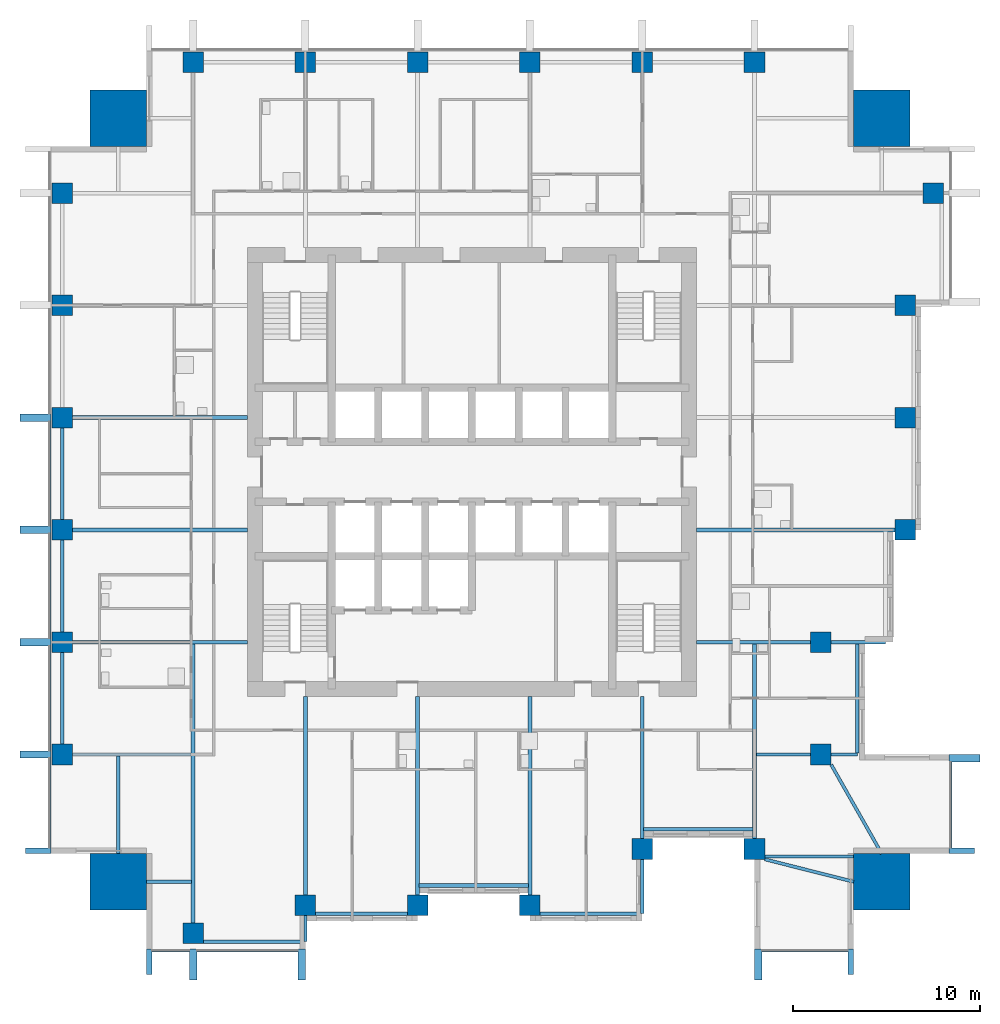
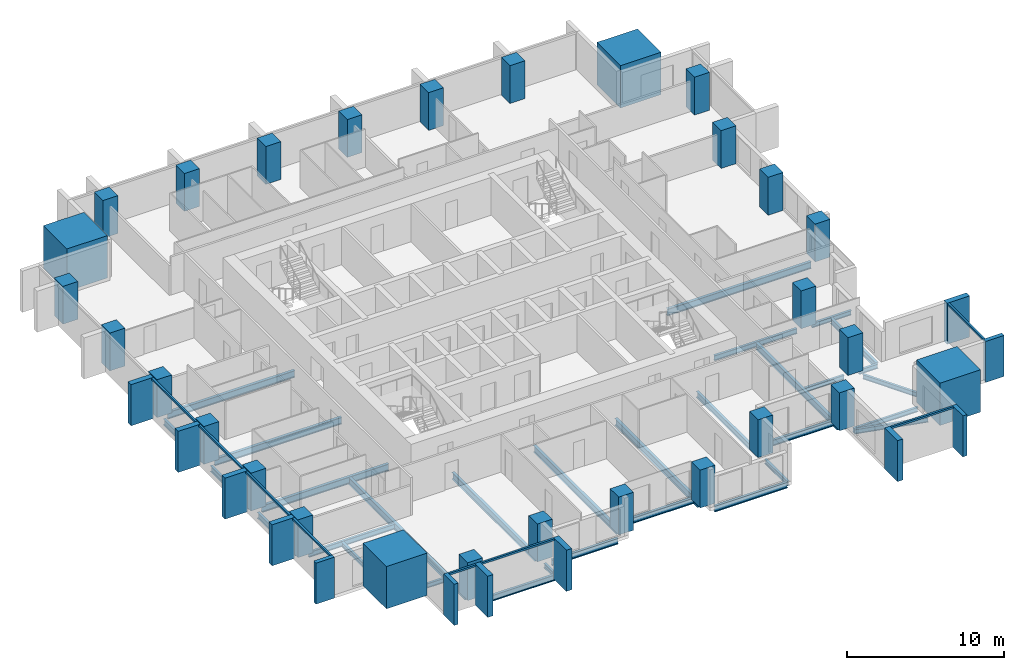
# One storey, part 1 of 10: 31 beams, 28 columns, 20 members, 4 elements without a shape of their own.
"""IFC4 building model written with IfcOpenShell, lengths in metres."""

from ifc_helpers import new_model, si_unit, direction, frame, origin, origin_2d, place, context, subcontext, project, spatial, rectangle, i_section, extrude, material, material_profile, profile_set, type_object, element, aggregate, save


model = new_model("IFC4")

# Units and contexts
model_context = context("Model", 3, precision=1e-05, world=origin(), true_north=direction((0.0, 1.0)))
body_context = subcontext(model_context, "Body", "Model", "MODEL_VIEW")
ifc_project = project(units=[si_unit("LENGTHUNIT", "METRE"), si_unit("AREAUNIT", "SQUARE_METRE"), si_unit("VOLUMEUNIT", "CUBIC_METRE"), si_unit("PLANEANGLEUNIT", "RADIAN"), si_unit("MASSUNIT", "GRAM", prefix="KILO")], contexts=[model_context])

# Site, building, storey
site_placement = place(None, origin())
site = spatial("IfcSite", under=ifc_project, at=site_placement, CompositionType="ELEMENT")
building_placement = place(site_placement, origin())
building = spatial("IfcBuilding", under=site, at=building_placement, Name="Amberfall Residences", CompositionType="ELEMENT")
storey_placement = place(building_placement, frame((0.0, 0.0, 121.60009765625)))
storey = spatial("IfcBuildingStorey", under=building, at=storey_placement, Name="L33", CompositionType="ELEMENT", Elevation=121.60009765625)

# Columns
ifc_material_1 = material(Name="Concrete C70", Category="concrete")
ifc_material_profile_1 = material_profile(ifc_material_1, rectangle(XDim=1.10009765625, YDim=1.10009765625, at=origin_2d()), Name="Column 1100 x 1100 C70")
ifc_profile_set_1 = profile_set([ifc_material_profile_1], Name="Concrete C70")
column_type_1 = type_object("IfcColumnType", Name="Column 1100 x 1100 C70", PredefinedType="COLUMN", material=ifc_profile_set_1)
for number, where, z_axis, x_axis, name in (
    (1, (59.60009765625, 20.85009765625, 0.0), (0.0, 0.0, 1.0), (1.0, 0.0, 0.0), "Column C2 L33 S1"),
    (2, (65.60009765625, 22.35009765625, 0.0), (0.0, 0.0, 1.0), (1.0, 0.0, 0.0), "Column C2 L33 S2"),
    (3, (71.60009765625, 22.35009765625, 0.0), (0.0, 0.0, 1.0), (1.0, 0.0, 0.0), "Column C2 L33 S3"),
    (4, (77.60009765625, 22.35009765625, 0.0), (0.0, 0.0, 1.0), (1.0, 0.0, 0.0), "Column C2 L33 S4"),
    (5, (83.60009765625, 25.35009765625, 0.0), (0.0, 0.0, 1.0), (1.0, 0.0, 0.0), "Column C2 L33 S5"),
    (6, (89.60009765625, 25.35009765625, 0.0), (0.0, 0.0, 1.0), (1.0, 0.0, 0.0), "Column C2 L33 S6"),
    (7, (93.14990234375, 30.39990234375, 0.0), (0.0, 0.0, 1.0), (1.0, 0.0, 0.0), "Column C2 L33 E1"),
    (8, (93.14990234375, 36.39990234375, 0.0), (0.0, 0.0, 1.0), (1.0, 0.0, 0.0), "Column C2 L33 E2"),
    (9, (97.64990234375, 42.39990234375, 0.0), (0.0, 0.0, 1.0), (1.0, 0.0, 0.0), "Column C2 L33 E3"),
    (10, (97.64990234375, 48.39990234375, 0.0), (0.0, 0.0, 1.0), (1.0, 0.0, 0.0), "Column C2 L33 E4"),
    (11, (97.64990234375, 54.39990234375, 0.0), (0.0, 0.0, 1.0), (1.0, 0.0, 0.0), "Column C2 L33 E5"),
    (12, (99.14990234375, 60.39990234375, 0.0), (0.0, 0.0, 1.0), (1.0, 0.0, 0.0), "Column C2 L33 E6"),
    (13, (59.60009765625, 67.39990234375, 0.0), (0.0, 0.0, 1.0), (1.0, 0.0, 0.0), "Column C2 L33 N1"),
    (14, (65.60009765625, 67.39990234375, 0.0), (0.0, 0.0, 1.0), (1.0, 0.0, 0.0), "Column C2 L33 N2"),
    (15, (71.60009765625, 67.39990234375, 0.0), (0.0, 0.0, 1.0), (1.0, 0.0, 0.0), "Column C2 L33 N3"),
    (16, (77.60009765625, 67.39990234375, 0.0), (0.0, 0.0, 1.0), (1.0, 0.0, 0.0), "Column C2 L33 N4"),
    (17, (83.60009765625, 67.39990234375, 0.0), (0.0, 0.0, 1.0), (1.0, 0.0, 0.0), "Column C2 L33 N5"),
    (18, (89.60009765625, 67.39990234375, 0.0), (0.0, 0.0, 1.0), (1.0, 0.0, 0.0), "Column C2 L33 N6"),
    (19, (52.60009765625, 30.39990234375, 0.0), (0.0, 0.0, 1.0), (1.0, 0.0, 0.0), "Column C2 L33 W1"),
    (20, (52.60009765625, 36.39990234375, 0.0), (0.0, 0.0, 1.0), (1.0, 0.0, 0.0), "Column C2 L33 W2"),
    (21, (52.60009765625, 42.39990234375, 0.0), (0.0, 0.0, 1.0), (1.0, 0.0, 0.0), "Column C2 L33 W3"),
    (22, (52.60009765625, 48.39990234375, 0.0), (0.0, 0.0, 1.0), (1.0, 0.0, 0.0), "Column C2 L33 W4"),
    (23, (52.60009765625, 54.39990234375, 0.0), (0.0, 0.0, 1.0), (1.0, 0.0, 0.0), "Column C2 L33 W5"),
    (24, (52.60009765625, 60.39990234375, 0.0), (0.0, 0.0, 1.0), (1.0, 0.0, 0.0), "Column C2 L33 W6"),
):
    element("IfcColumn", number, at=place(storey_placement, frame(where, z_axis=z_axis, x_axis=x_axis)), inside=storey, type_object=column_type_1, Name=name, PredefinedType="COLUMN", context=body_context, shape_type="SweptSolid", body=[
        extrude(rectangle(XDim=1.10009765625, YDim=1.10009765625, at=origin_2d()), origin(), (0.0, 0.0, 1.0), 2.949951171875),
    ])
ifc_material_profile_2 = material_profile(ifc_material_1, rectangle(XDim=3.0, YDim=3.0, at=origin_2d()), Name="Mega column 3000 x 3000 C70")
ifc_profile_set_2 = profile_set([ifc_material_profile_2], Name="Concrete C70")
column_type_2 = type_object("IfcColumnType", Name="Mega column 3000 x 3000 C70", PredefinedType="COLUMN", material=ifc_profile_set_2)
for number, where, z_axis, x_axis, name in (
    (25, (55.60009765625, 23.60009765625, 0.0), (0.0, 0.0, 1.0), (1.0, 0.0, 0.0), "Mega column MC2 L33 SW"),
    (26, (96.39990234375, 23.60009765625, 0.0), (0.0, 0.0, 1.0), (1.0, 0.0, 0.0), "Mega column MC2 L33 SE"),
    (27, (96.39990234375, 64.39990234375, 0.0), (0.0, 0.0, 1.0), (1.0, 0.0, 0.0), "Mega column MC2 L33 NE"),
    (28, (55.60009765625, 64.39990234375, 0.0), (0.0, 0.0, 1.0), (1.0, 0.0, 0.0), "Mega column MC2 L33 NW"),
):
    element("IfcColumn", number, at=place(storey_placement, frame(where, z_axis=z_axis, x_axis=x_axis)), inside=storey, type_object=column_type_2, Name=name, PredefinedType="COLUMN", context=body_context, shape_type="SweptSolid", body=[
        extrude(rectangle(XDim=3.0, YDim=3.0, at=origin_2d()), origin(), (0.0, 0.0, 1.0), 3.2998046875),
    ])

# Curtain wall, members
ifc_material_2 = material(Name="Bronze anodised aluminium and glass", Category="aluminium")
curtain_wall_type = type_object("IfcCurtainWallType", Name="Curtain wall CW1 tower unit", PredefinedType="USERDEFINED", material=ifc_material_2)
curtain_wall_1_placement = place(storey_placement, origin())
curtain_wall_1 = element("IfcCurtainWall", 29, at=curtain_wall_1_placement, inside=storey, type_object=curtain_wall_type, Name="Curtain wall L33 S S1", ObjectType="UNITISED CURTAIN WALL", PredefinedType="USERDEFINED")
ifc_material_3 = material(Name="Bronze anodised aluminium", Category="aluminium")
ifc_material_profile_3 = material_profile(ifc_material_3, rectangle(XDim=0.14990234375, YDim=0.14990234375, at=origin_2d()), Name="CW1 transom 150 x 150 bronze")
ifc_profile_set_3 = profile_set([ifc_material_profile_3], Name="Bronze anodised aluminium")
member_type_1 = type_object("IfcMemberType", Name="CW1 transom 150 x 150 bronze", PredefinedType="USERDEFINED", material=ifc_profile_set_3)
member_1_placement = place(storey_placement, frame((57.39990234375, 19.925048828125, 2.875), z_axis=(1.0, 0.0, 0.0), x_axis=(0.0, 1.0, 0.0)))
member_1 = element("IfcMember", 30, at=member_1_placement, type_object=member_type_1, Name="CW1 transom 1.1", ObjectType="TRANSOM", PredefinedType="USERDEFINED", context=body_context, shape_type="SweptSolid", body=[
    extrude(rectangle(XDim=0.14990234375, YDim=0.14990234375, at=origin_2d()), origin(), (0.0, 0.0, 1.0), 2.0),
])
member_2_placement = place(storey_placement, frame((59.800048828125, 19.925048828125, 2.875), z_axis=(1.0, 0.0, 0.0), x_axis=(0.0, 1.0, 0.0)))
member_2 = element("IfcMember", 31, at=member_2_placement, type_object=member_type_1, Name="CW1 transom 2.1", ObjectType="TRANSOM", PredefinedType="USERDEFINED", context=body_context, shape_type="SweptSolid", body=[
    extrude(rectangle(XDim=0.14990234375, YDim=0.14990234375, at=origin_2d()), origin(), (0.0, 0.0, 1.0), 5.39990234375),
])

# Curtain wall, member
curtain_wall_2_placement = place(storey_placement, origin())
curtain_wall_2 = element("IfcCurtainWall", 32, at=curtain_wall_2_placement, inside=storey, type_object=curtain_wall_type, Name="Curtain wall L33 S S11", ObjectType="UNITISED CURTAIN WALL", PredefinedType="USERDEFINED")
member_3_placement = place(storey_placement, frame((90.0, 19.925048828125, 2.875), z_axis=(1.0, 0.0, 0.0), x_axis=(0.0, 1.0, 0.0)))
member_3 = element("IfcMember", 33, at=member_3_placement, type_object=member_type_1, Name="CW1 transom 1.1", ObjectType="TRANSOM", PredefinedType="USERDEFINED", context=body_context, shape_type="SweptSolid", body=[
    extrude(rectangle(XDim=0.14990234375, YDim=0.14990234375, at=origin_2d()), origin(), (0.0, 0.0, 1.0), 4.60009765625),
])

curtain_wall_3_placement = place(storey_placement, origin())
curtain_wall_3 = element("IfcCurtainWall", 34, at=curtain_wall_3_placement, inside=storey, type_object=curtain_wall_type, Name="Curtain wall L33 E E1", ObjectType="UNITISED CURTAIN WALL", PredefinedType="USERDEFINED")
member_4_placement = place(storey_placement, frame((100.074951171875, 25.39990234375, 2.875), z_axis=(0.0, 1.0, 0.0), x_axis=(-1.0, 0.0, 0.0)))
member_4 = element("IfcMember", 35, at=member_4_placement, type_object=member_type_1, Name="CW1 transom 1.1", ObjectType="TRANSOM", PredefinedType="USERDEFINED", context=body_context, shape_type="SweptSolid", body=[
    extrude(rectangle(XDim=0.14990234375, YDim=0.14990234375, at=origin_2d()), origin(), (0.0, 0.0, 1.0), 4.60009765625),
])

# Curtain wall, members
curtain_wall_4_placement = place(storey_placement, origin())
curtain_wall_4 = element("IfcCurtainWall", 36, at=curtain_wall_4_placement, inside=storey, type_object=curtain_wall_type, Name="Curtain wall L33 W W1", ObjectType="UNITISED CURTAIN WALL", PredefinedType="USERDEFINED")
member_5_placement = place(storey_placement, frame((51.925048828125, 48.199951171875, 2.875), z_axis=(0.0, -1.0, 0.0), x_axis=(1.0, 0.0, 0.0)))
member_5 = element("IfcMember", 37, at=member_5_placement, type_object=member_type_1, Name="CW1 transom 4.1", ObjectType="TRANSOM", PredefinedType="USERDEFINED", context=body_context, shape_type="SweptSolid", body=[
    extrude(rectangle(XDim=0.14990234375, YDim=0.14990234375, at=origin_2d()), origin(), (0.0, 0.0, 1.0), 5.599853515625),
])
member_6_placement = place(storey_placement, frame((51.925048828125, 42.199951171875, 2.875), z_axis=(0.0, -1.0, 0.0), x_axis=(1.0, 0.0, 0.0)))
member_6 = element("IfcMember", 38, at=member_6_placement, type_object=member_type_1, Name="CW1 transom 5.1", ObjectType="TRANSOM", PredefinedType="USERDEFINED", context=body_context, shape_type="SweptSolid", body=[
    extrude(rectangle(XDim=0.14990234375, YDim=0.14990234375, at=origin_2d()), origin(), (0.0, 0.0, 1.0), 5.599853515625),
])
member_7_placement = place(storey_placement, frame((51.925048828125, 36.199951171875, 2.875), z_axis=(0.0, -1.0, 0.0), x_axis=(1.0, 0.0, 0.0)))
member_7 = element("IfcMember", 39, at=member_7_placement, type_object=member_type_1, Name="CW1 transom 6.1", ObjectType="TRANSOM", PredefinedType="USERDEFINED", context=body_context, shape_type="SweptSolid", body=[
    extrude(rectangle(XDim=0.14990234375, YDim=0.14990234375, at=origin_2d()), origin(), (0.0, 0.0, 1.0), 5.599853515625),
])
member_8_placement = place(storey_placement, frame((51.925048828125, 30.199951171875, 2.875), z_axis=(0.0, -1.0, 0.0), x_axis=(1.0, 0.0, 0.0)))
member_8 = element("IfcMember", 40, at=member_8_placement, type_object=member_type_1, Name="CW1 transom 7.1", ObjectType="TRANSOM", PredefinedType="USERDEFINED", context=body_context, shape_type="SweptSolid", body=[
    extrude(rectangle(XDim=0.14990234375, YDim=0.14990234375, at=origin_2d()), origin(), (0.0, 0.0, 1.0), 4.800048828125),
])

# Beams
ifc_material_4 = material(Name="Steel S355", Category="steel")
ifc_material_profile_4 = material_profile(ifc_material_4, i_section(OverallWidth=0.171142578125, OverallDepth=0.351318359375, WebThickness=0.007080078125, FlangeThickness=0.009765625, FilletRadius=0.01025390625, at=origin_2d()), Name="UB 356x171x45")
ifc_profile_set_4 = profile_set([ifc_material_profile_4], Name="Steel S355")
beam_type_1 = type_object("IfcBeamType", Name="Cantilever girder UB 356x171x45", PredefinedType="BEAM", material=ifc_profile_set_4)
beam_1_placement = place(storey_placement, frame((65.60009765625, 21.800048828125, -0.42578125), z_axis=(0.0, -1.0, 0.0), x_axis=(1.0, 0.0, 0.0)))
element("IfcBeam", 41, at=beam_1_placement, inside=storey, type_object=beam_type_1, Name="Cantilever girder B8 L33 06", PredefinedType="BEAM", context=body_context, shape_type="SweptSolid", body=[
    extrude(i_section(OverallWidth=0.171142578125, OverallDepth=0.351318359375, WebThickness=0.007080078125, FlangeThickness=0.009765625, FilletRadius=0.01025390625, at=origin_2d()), origin(), (0.0, 0.0, 1.0), 1.400146484375),
])
beam_2_placement = place(storey_placement, frame((83.60009765625, 24.800048828125, -0.42578125), z_axis=(0.0, -1.0, 0.0), x_axis=(1.0, 0.0, 0.0)))
element("IfcBeam", 42, at=beam_2_placement, inside=storey, type_object=beam_type_1, Name="Cantilever girder B8 L33 07", PredefinedType="BEAM", context=body_context, shape_type="SweptSolid", body=[
    extrude(i_section(OverallWidth=0.171142578125, OverallDepth=0.351318359375, WebThickness=0.007080078125, FlangeThickness=0.009765625, FilletRadius=0.01025390625, at=origin_2d()), origin(), (0.0, 0.0, 1.0), 2.900146484375),
])
beam_3_placement = place(storey_placement, frame((93.699951171875, 30.39990234375, -0.42578125), z_axis=(1.0, 0.0, 0.0), x_axis=(0.0, 1.0, 0.0)))
element("IfcBeam", 43, at=beam_3_placement, inside=storey, type_object=beam_type_1, Name="Cantilever girder B8 L33 19", PredefinedType="BEAM", context=body_context, shape_type="SweptSolid", body=[
    extrude(i_section(OverallWidth=0.171142578125, OverallDepth=0.351318359375, WebThickness=0.007080078125, FlangeThickness=0.009765625, FilletRadius=0.01025390625, at=origin_2d()), origin(), (0.0, 0.0, 1.0), 1.400146484375),
])
beam_4_placement = place(storey_placement, frame((93.699951171875, 36.39990234375, -0.42578125), z_axis=(1.0, 0.0, 0.0), x_axis=(0.0, 1.0, 0.0)))
element("IfcBeam", 44, at=beam_4_placement, inside=storey, type_object=beam_type_1, Name="Cantilever girder B8 L33 20", PredefinedType="BEAM", context=body_context, shape_type="SweptSolid", body=[
    extrude(i_section(OverallWidth=0.171142578125, OverallDepth=0.351318359375, WebThickness=0.007080078125, FlangeThickness=0.009765625, FilletRadius=0.01025390625, at=origin_2d()), origin(), (0.0, 0.0, 1.0), 2.900146484375),
])

# Member
ifc_material_profile_5 = material_profile(ifc_material_3, rectangle(XDim=1.35009765625, YDim=0.300048828125, at=origin_2d()), Name="Corner fin 300 x 1350 bronze")
ifc_profile_set_5 = profile_set([ifc_material_profile_5], Name="Bronze anodised aluminium")
member_type_2 = type_object("IfcMemberType", Name="Corner fin 300 x 1350 bronze", PredefinedType="MULLION", material=ifc_profile_set_5)
member_9_placement = place(storey_placement, frame((57.25, 19.324951171875, -0.25), z_axis=(0.0, 0.0, 1.0), x_axis=(0.0, 1.0, 0.0)))
member_9 = element("IfcMember", 45, at=member_9_placement, type_object=member_type_2, Name="CW FIN 1", PredefinedType="MULLION", context=body_context, shape_type="SweptSolid", body=[
    extrude(rectangle(XDim=1.35009765625, YDim=0.300048828125, at=origin_2d()), origin(), (0.0, 0.0, 1.0), 3.199951171875),
])

member_10_placement = place(storey_placement, frame((94.75, 19.324951171875, -0.25), z_axis=(0.0, 0.0, 1.0), x_axis=(0.0, 1.0, 0.0)))
member_10 = element("IfcMember", 46, at=member_10_placement, type_object=member_type_2, Name="CW FIN 2", PredefinedType="MULLION", context=body_context, shape_type="SweptSolid", body=[
    extrude(rectangle(XDim=1.35009765625, YDim=0.300048828125, at=origin_2d()), origin(), (0.0, 0.0, 1.0), 3.199951171875),
])

member_11_placement = place(storey_placement, frame((100.675048828125, 25.25, -0.25), z_axis=(0.0, 0.0, 1.0), x_axis=(-1.0, 0.0, 0.0)))
member_11 = element("IfcMember", 47, at=member_11_placement, type_object=member_type_2, Name="CW FIN 1", PredefinedType="MULLION", context=body_context, shape_type="SweptSolid", body=[
    extrude(rectangle(XDim=1.35009765625, YDim=0.300048828125, at=origin_2d()), origin(), (0.0, 0.0, 1.0), 3.199951171875),
])

member_12_placement = place(storey_placement, frame((51.324951171875, 25.25, -0.25), z_axis=(0.0, 0.0, 1.0), x_axis=(1.0, 0.0, 0.0)))
member_12 = element("IfcMember", 48, at=member_12_placement, type_object=member_type_2, Name="CW FIN 8", PredefinedType="MULLION", context=body_context, shape_type="SweptSolid", body=[
    extrude(rectangle(XDim=1.35009765625, YDim=0.300048828125, at=origin_2d()), origin(), (0.0, 0.0, 1.0), 3.199951171875),
])

# Beams
ifc_material_profile_6 = material_profile(ifc_material_4, i_section(OverallWidth=0.18994140625, OverallDepth=0.453369140625, WebThickness=0.008544921875, FlangeThickness=0.0126953125, FilletRadius=0.01025390625, at=origin_2d()), Name="UB 457x191x67")
ifc_profile_set_6 = profile_set([ifc_material_profile_6], Name="Steel S355")
beam_type_2 = type_object("IfcBeamType", Name="Edge beam UB 457x191x67", PredefinedType="SPANDREL", material=ifc_profile_set_6)
beam_5_placement = place(storey_placement, frame((60.14990234375, 20.39990234375, -0.476806640625), z_axis=(1.0, 0.0, 0.0), x_axis=(0.0, 1.0, 0.0)))
element("IfcBeam", 49, at=beam_5_placement, inside=storey, type_object=beam_type_2, Name="Edge beam B1 L33 01", PredefinedType="SPANDREL", context=body_context, shape_type="SweptSolid", body=[
    extrude(i_section(OverallWidth=0.18994140625, OverallDepth=0.453369140625, WebThickness=0.008544921875, FlangeThickness=0.0126953125, FilletRadius=0.01025390625, at=origin_2d()), origin(), (0.0, 0.0, 1.0), 5.3701171875),
])
beam_6_placement = place(storey_placement, frame((66.14990234375, 21.89990234375, -0.476806640625), z_axis=(1.0, 0.0, 0.0), x_axis=(0.0, 1.0, 0.0)))
element("IfcBeam", 50, at=beam_6_placement, inside=storey, type_object=beam_type_2, Name="Edge beam B1 L33 02", PredefinedType="SPANDREL", context=body_context, shape_type="SweptSolid", body=[
    extrude(i_section(OverallWidth=0.18994140625, OverallDepth=0.453369140625, WebThickness=0.008544921875, FlangeThickness=0.0126953125, FilletRadius=0.01025390625, at=origin_2d()), origin(), (0.0, 0.0, 1.0), 4.900146484375),
])
beam_7_placement = place(storey_placement, frame((71.679931640625, 23.39990234375, -0.476806640625), z_axis=(1.0, 0.0, 0.0), x_axis=(0.0, 1.0, 0.0)))
element("IfcBeam", 51, at=beam_7_placement, inside=storey, type_object=beam_type_2, Name="Edge beam B1 L33 03", PredefinedType="SPANDREL", context=body_context, shape_type="SweptSolid", body=[
    extrude(i_section(OverallWidth=0.18994140625, OverallDepth=0.453369140625, WebThickness=0.008544921875, FlangeThickness=0.0126953125, FilletRadius=0.01025390625, at=origin_2d()), origin(), (0.0, 0.0, 1.0), 5.840087890625),
])
beam_8_placement = place(storey_placement, frame((78.14990234375, 21.89990234375, -0.476806640625), z_axis=(1.0, 0.0, 0.0), x_axis=(0.0, 1.0, 0.0)))
element("IfcBeam", 52, at=beam_8_placement, inside=storey, type_object=beam_type_2, Name="Edge beam B1 L33 04", PredefinedType="SPANDREL", context=body_context, shape_type="SweptSolid", body=[
    extrude(i_section(OverallWidth=0.18994140625, OverallDepth=0.453369140625, WebThickness=0.008544921875, FlangeThickness=0.0126953125, FilletRadius=0.01025390625, at=origin_2d()), origin(), (0.0, 0.0, 1.0), 5.3701171875),
])
for number, where, z_axis, x_axis, name in (
    (53, (83.679931640625, 26.39990234375, -0.476806640625), (1.0, 0.0, 0.0), (0.0, 1.0, 0.0), "Edge beam B1 L33 05"),
    (54, (95.10009765625, 30.47998046875, -0.476806640625), (0.0, 1.0, 0.0), (-1.0, 0.0, 0.0), "Edge beam B1 L33 14"),
):
    element("IfcBeam", number, at=place(storey_placement, frame(where, z_axis=z_axis, x_axis=x_axis)), inside=storey, type_object=beam_type_2, Name=name, PredefinedType="SPANDREL", context=body_context, shape_type="SweptSolid", body=[
        extrude(i_section(OverallWidth=0.18994140625, OverallDepth=0.453369140625, WebThickness=0.008544921875, FlangeThickness=0.0126953125, FilletRadius=0.01025390625, at=origin_2d()), origin(), (0.0, 0.0, 1.0), 5.840087890625),
    ])
for number, where, z_axis, x_axis, name in (
    (55, (52.60009765625, 30.949951171875, -0.476806640625), (0.0, 1.0, 0.0), (-1.0, 0.0, 0.0), "Edge beam B1 L33 39"),
    (56, (52.60009765625, 36.949951171875, -0.476806640625), (0.0, 1.0, 0.0), (-1.0, 0.0, 0.0), "Edge beam B1 L33 40"),
    (57, (52.60009765625, 42.949951171875, -0.476806640625), (0.0, 1.0, 0.0), (-1.0, 0.0, 0.0), "Edge beam B1 L33 41"),
):
    element("IfcBeam", number, at=place(storey_placement, frame(where, z_axis=z_axis, x_axis=x_axis)), inside=storey, type_object=beam_type_2, Name=name, PredefinedType="SPANDREL", context=body_context, shape_type="SweptSolid", body=[
        extrude(i_section(OverallWidth=0.18994140625, OverallDepth=0.453369140625, WebThickness=0.008544921875, FlangeThickness=0.0126953125, FilletRadius=0.01025390625, at=origin_2d()), origin(), (0.0, 0.0, 1.0), 4.900146484375),
    ])

# Member
ifc_material_profile_7 = material_profile(ifc_material_3, rectangle(XDim=1.64990234375, YDim=0.39990234375, at=origin_2d()), Name="Fin 400 x 1650 bronze")
ifc_profile_set_7 = profile_set([ifc_material_profile_7], Name="Bronze anodised aluminium")
member_type_3 = type_object("IfcMemberType", Name="Fin 400 x 1650 bronze", PredefinedType="MULLION", material=ifc_profile_set_7)
member_13_placement = place(storey_placement, frame((59.60009765625, 19.175048828125, -0.25), z_axis=(0.0, 0.0, 1.0), x_axis=(0.0, 1.0, 0.0)))
member_13 = element("IfcMember", 58, at=member_13_placement, type_object=member_type_3, Name="CW FIN 2", PredefinedType="MULLION", context=body_context, shape_type="SweptSolid", body=[
    extrude(rectangle(XDim=1.64990234375, YDim=0.39990234375, at=origin_2d()), origin(), (0.0, 0.0, 1.0), 3.199951171875),
])

member_14_placement = place(storey_placement, frame((65.39990234375, 19.175048828125, -0.25), z_axis=(0.0, 0.0, 1.0), x_axis=(0.0, 1.0, 0.0)))
member_14 = element("IfcMember", 59, at=member_14_placement, type_object=member_type_3, Name="CW FIN 3", PredefinedType="MULLION", context=body_context, shape_type="SweptSolid", body=[
    extrude(rectangle(XDim=1.64990234375, YDim=0.39990234375, at=origin_2d()), origin(), (0.0, 0.0, 1.0), 3.199951171875),
])

aggregate(curtain_wall_1, [member_9, member_13, member_14, member_1, member_2])

member_15_placement = place(storey_placement, frame((89.800048828125, 19.175048828125, -0.25), z_axis=(0.0, 0.0, 1.0), x_axis=(0.0, 1.0, 0.0)))
member_15 = element("IfcMember", 60, at=member_15_placement, type_object=member_type_3, Name="CW FIN 1", PredefinedType="MULLION", context=body_context, shape_type="SweptSolid", body=[
    extrude(rectangle(XDim=1.64990234375, YDim=0.39990234375, at=origin_2d()), origin(), (0.0, 0.0, 1.0), 3.199951171875),
])

aggregate(curtain_wall_2, [member_15, member_10, member_3])

member_16_placement = place(storey_placement, frame((100.824951171875, 30.199951171875, -0.25), z_axis=(0.0, 0.0, 1.0), x_axis=(-1.0, 0.0, 0.0)))
member_16 = element("IfcMember", 61, at=member_16_placement, type_object=member_type_3, Name="CW FIN 2", PredefinedType="MULLION", context=body_context, shape_type="SweptSolid", body=[
    extrude(rectangle(XDim=1.64990234375, YDim=0.39990234375, at=origin_2d()), origin(), (0.0, 0.0, 1.0), 3.199951171875),
])

aggregate(curtain_wall_3, [member_11, member_16, member_4])

member_17_placement = place(storey_placement, frame((51.175048828125, 48.39990234375, -0.25), z_axis=(0.0, 0.0, 1.0), x_axis=(1.0, 0.0, 0.0)))
member_17 = element("IfcMember", 62, at=member_17_placement, type_object=member_type_3, Name="CW FIN 4", PredefinedType="MULLION", context=body_context, shape_type="SweptSolid", body=[
    extrude(rectangle(XDim=1.64990234375, YDim=0.39990234375, at=origin_2d()), origin(), (0.0, 0.0, 1.0), 3.199951171875),
])

member_18_placement = place(storey_placement, frame((51.175048828125, 42.39990234375, -0.25), z_axis=(0.0, 0.0, 1.0), x_axis=(1.0, 0.0, 0.0)))
member_18 = element("IfcMember", 63, at=member_18_placement, type_object=member_type_3, Name="CW FIN 5", PredefinedType="MULLION", context=body_context, shape_type="SweptSolid", body=[
    extrude(rectangle(XDim=1.64990234375, YDim=0.39990234375, at=origin_2d()), origin(), (0.0, 0.0, 1.0), 3.199951171875),
])

member_19_placement = place(storey_placement, frame((51.175048828125, 36.39990234375, -0.25), z_axis=(0.0, 0.0, 1.0), x_axis=(1.0, 0.0, 0.0)))
member_19 = element("IfcMember", 64, at=member_19_placement, type_object=member_type_3, Name="CW FIN 6", PredefinedType="MULLION", context=body_context, shape_type="SweptSolid", body=[
    extrude(rectangle(XDim=1.64990234375, YDim=0.39990234375, at=origin_2d()), origin(), (0.0, 0.0, 1.0), 3.199951171875),
])

member_20_placement = place(storey_placement, frame((51.175048828125, 30.39990234375, -0.25), z_axis=(0.0, 0.0, 1.0), x_axis=(1.0, 0.0, 0.0)))
member_20 = element("IfcMember", 65, at=member_20_placement, type_object=member_type_3, Name="CW FIN 7", PredefinedType="MULLION", context=body_context, shape_type="SweptSolid", body=[
    extrude(rectangle(XDim=1.64990234375, YDim=0.39990234375, at=origin_2d()), origin(), (0.0, 0.0, 1.0), 3.199951171875),
])

aggregate(curtain_wall_4, [member_17, member_18, member_19, member_20, member_12, member_5, member_6, member_7, member_8])

# Beams
ifc_material_profile_8 = material_profile(ifc_material_4, i_section(OverallWidth=0.171142578125, OverallDepth=0.351318359375, WebThickness=0.007080078125, FlangeThickness=0.009765625, FilletRadius=0.01025390625, at=origin_2d()), Name="UB 356x171x45")
ifc_profile_set_8 = profile_set([ifc_material_profile_8], Name="Steel S355")
beam_type_3 = type_object("IfcBeamType", Name="Floor girder UB 356x171x45", PredefinedType="BEAM", material=ifc_profile_set_8)
beam_9_placement = place(storey_placement, frame((92.60009765625, 30.39990234375, -0.42578125), z_axis=(-1.0, 0.0, 0.0), x_axis=(0.0, -1.0, 0.0)))
element("IfcBeam", 66, at=beam_9_placement, inside=storey, type_object=beam_type_3, Name="Floor girder B11 L33 22", PredefinedType="BEAM", context=body_context, shape_type="SweptSolid", body=[
    extrude(i_section(OverallWidth=0.171142578125, OverallDepth=0.351318359375, WebThickness=0.007080078125, FlangeThickness=0.009765625, FilletRadius=0.01025390625, at=origin_2d()), origin(), (0.0, 0.0, 1.0), 2.880126953125),
])
ifc_material_profile_9 = material_profile(ifc_material_4, i_section(OverallWidth=0.177734375, OverallDepth=0.402587890625, WebThickness=0.0078125, FlangeThickness=0.010986328125, FilletRadius=0.01025390625, at=origin_2d()), Name="UB 406x178x54")
ifc_profile_set_9 = profile_set([ifc_material_profile_9], Name="Steel S355")
beam_type_4 = type_object("IfcBeamType", Name="Floor girder UB 406x178x54", PredefinedType="BEAM", material=ifc_profile_set_9)
beam_10_placement = place(storey_placement, frame((92.60009765625, 36.39990234375, -0.451416015625), z_axis=(-1.0, 0.0, 0.0), x_axis=(0.0, -1.0, 0.0)))
element("IfcBeam", 67, at=beam_10_placement, inside=storey, type_object=beam_type_4, Name="Floor girder B4 L33 23", PredefinedType="BEAM", context=body_context, shape_type="SweptSolid", body=[
    extrude(i_section(OverallWidth=0.177734375, OverallDepth=0.402587890625, WebThickness=0.0078125, FlangeThickness=0.010986328125, FilletRadius=0.01025390625, at=origin_2d()), origin(), (0.0, 0.0, 1.0), 6.10009765625),
])
beam_11_placement = place(storey_placement, frame((53.14990234375, 30.39990234375, -0.451416015625), z_axis=(1.0, 0.0, 0.0), x_axis=(0.0, 1.0, 0.0)))
element("IfcBeam", 68, at=beam_11_placement, inside=storey, type_object=beam_type_4, Name="Floor girder B4 L33 44", PredefinedType="BEAM", context=body_context, shape_type="SweptSolid", body=[
    extrude(i_section(OverallWidth=0.177734375, OverallDepth=0.402587890625, WebThickness=0.0078125, FlangeThickness=0.010986328125, FilletRadius=0.01025390625, at=origin_2d()), origin(), (0.0, 0.0, 1.0), 6.330078125),
])
ifc_material_profile_10 = material_profile(ifc_material_4, i_section(OverallWidth=0.19140625, OverallDepth=0.4599609375, WebThickness=0.010009765625, FlangeThickness=0.01611328125, FilletRadius=0.01025390625, at=origin_2d()), Name="UB 457x191x82")
ifc_profile_set_10 = profile_set([ifc_material_profile_10], Name="Steel S355")
beam_type_5 = type_object("IfcBeamType", Name="Floor girder UB 457x191x82", PredefinedType="BEAM", material=ifc_profile_set_10)
beam_12_placement = place(storey_placement, frame((83.60009765625, 25.89990234375, -0.47998046875), z_axis=(0.0, 1.0, 0.0), x_axis=(-1.0, 0.0, 0.0)))
element("IfcBeam", 69, at=beam_12_placement, inside=storey, type_object=beam_type_5, Name="Floor girder B10 L33 12", PredefinedType="BEAM", context=body_context, shape_type="SweptSolid", body=[
    extrude(i_section(OverallWidth=0.19140625, OverallDepth=0.4599609375, WebThickness=0.010009765625, FlangeThickness=0.01611328125, FilletRadius=0.01025390625, at=origin_2d()), origin(), (0.0, 0.0, 1.0), 7.60009765625),
])
ifc_material_profile_11 = material_profile(ifc_material_4, i_section(OverallWidth=0.210693359375, OverallDepth=0.53955078125, WebThickness=0.01171875, FlangeThickness=0.018798828125, FilletRadius=0.0126953125, at=origin_2d()), Name="UB 533x210x109")
ifc_profile_set_11 = profile_set([ifc_material_profile_11], Name="Steel S355")
beam_type_6 = type_object("IfcBeamType", Name="Floor girder UB 533x210x109", PredefinedType="BEAM", material=ifc_profile_set_11)
beam_13_placement = place(storey_placement, frame((59.60009765625, 21.39990234375, -0.519775390625), z_axis=(0.0, 1.0, 0.0), x_axis=(-1.0, 0.0, 0.0)))
element("IfcBeam", 70, at=beam_13_placement, inside=storey, type_object=beam_type_6, Name="Floor girder B2 L33 08", PredefinedType="BEAM", context=body_context, shape_type="SweptSolid", body=[
    extrude(i_section(OverallWidth=0.210693359375, OverallDepth=0.53955078125, WebThickness=0.01171875, FlangeThickness=0.018798828125, FilletRadius=0.0126953125, at=origin_2d()), origin(), (0.0, 0.0, 1.0), 14.900390625),
])
ifc_material_profile_12 = material_profile(ifc_material_4, i_section(OverallWidth=0.209228515625, OverallDepth=0.533203125, WebThickness=0.010009765625, FlangeThickness=0.015625, FilletRadius=0.0126953125, at=origin_2d()), Name="UB 533x210x92")
ifc_profile_set_12 = profile_set([ifc_material_profile_12], Name="Steel S355")
beam_type_7 = type_object("IfcBeamType", Name="Floor girder UB 533x210x92", PredefinedType="BEAM", material=ifc_profile_set_12)
for number, where, z_axis, x_axis, name in (
    (71, (65.60009765625, 22.89990234375, -0.5166015625), (0.0, 1.0, 0.0), (-1.0, 0.0, 0.0), "Floor girder B3 L33 09"),
    (72, (71.60009765625, 22.89990234375, -0.5166015625), (0.0, 1.0, 0.0), (-1.0, 0.0, 0.0), "Floor girder B3 L33 10"),
    (73, (77.60009765625, 22.89990234375, -0.5166015625), (0.0, 1.0, 0.0), (-1.0, 0.0, 0.0), "Floor girder B3 L33 11"),
):
    element("IfcBeam", number, at=place(storey_placement, frame(where, z_axis=z_axis, x_axis=x_axis)), inside=storey, type_object=beam_type_7, Name=name, PredefinedType="BEAM", context=body_context, shape_type="SweptSolid", body=[
        extrude(i_section(OverallWidth=0.209228515625, OverallDepth=0.533203125, WebThickness=0.010009765625, FlangeThickness=0.015625, FilletRadius=0.0126953125, at=origin_2d()), origin(), (0.0, 0.0, 1.0), 10.60009765625),
    ])
beam_14_placement = place(storey_placement, frame((89.60009765625, 25.89990234375, -0.5166015625), z_axis=(0.0, 1.0, 0.0), x_axis=(-1.0, 0.0, 0.0)))
element("IfcBeam", 74, at=beam_14_placement, inside=storey, type_object=beam_type_7, Name="Floor girder B3 L33 13", PredefinedType="BEAM", context=body_context, shape_type="SweptSolid", body=[
    extrude(i_section(OverallWidth=0.209228515625, OverallDepth=0.533203125, WebThickness=0.010009765625, FlangeThickness=0.015625, FilletRadius=0.0126953125, at=origin_2d()), origin(), (0.0, 0.0, 1.0), 10.416259765625),
])
beam_15_placement = place(storey_placement, frame((97.10009765625, 42.39990234375, -0.5166015625), z_axis=(-1.0, 0.0, 0.0), x_axis=(0.0, -1.0, 0.0)))
element("IfcBeam", 75, at=beam_15_placement, inside=storey, type_object=beam_type_7, Name="Floor girder B3 L33 24", PredefinedType="BEAM", context=body_context, shape_type="SweptSolid", body=[
    extrude(i_section(OverallWidth=0.209228515625, OverallDepth=0.533203125, WebThickness=0.010009765625, FlangeThickness=0.015625, FilletRadius=0.0126953125, at=origin_2d()), origin(), (0.0, 0.0, 1.0), 10.60009765625),
])
for number, where, z_axis, x_axis, name in (
    (76, (53.14990234375, 36.39990234375, -0.5166015625), (1.0, 0.0, 0.0), (0.0, 1.0, 0.0), "Floor girder B3 L33 45"),
    (77, (53.14990234375, 42.39990234375, -0.5166015625), (1.0, 0.0, 0.0), (0.0, 1.0, 0.0), "Floor girder B3 L33 46"),
    (78, (53.14990234375, 48.39990234375, -0.5166015625), (1.0, 0.0, 0.0), (0.0, 1.0, 0.0), "Floor girder B3 L33 47"),
):
    element("IfcBeam", number, at=place(storey_placement, frame(where, z_axis=z_axis, x_axis=x_axis)), inside=storey, type_object=beam_type_7, Name=name, PredefinedType="BEAM", context=body_context, shape_type="SweptSolid", body=[
        extrude(i_section(OverallWidth=0.209228515625, OverallDepth=0.533203125, WebThickness=0.010009765625, FlangeThickness=0.015625, FilletRadius=0.0126953125, at=origin_2d()), origin(), (0.0, 0.0, 1.0), 9.35009765625),
    ])
ifc_material_profile_13 = material_profile(ifc_material_4, i_section(OverallWidth=0.171142578125, OverallDepth=0.351318359375, WebThickness=0.007080078125, FlangeThickness=0.009765625, FilletRadius=0.01025390625, at=origin_2d()), Name="UB 356x171x45")
ifc_profile_set_13 = profile_set([ifc_material_profile_13], Name="Steel S355")
beam_type_8 = type_object("IfcBeamType", Name="Link beam UB 356x171x45", PredefinedType="BEAM", material=ifc_profile_set_13)
beam_16_placement = place(storey_placement, frame((90.14990234375, 24.949951171875, -0.42578125), z_axis=(1.0, 0.0, 0.0), x_axis=(0.0, 1.0, 0.0)))
element("IfcBeam", 79, at=beam_16_placement, inside=storey, type_object=beam_type_8, Name="Link beam B7 L33 50", PredefinedType="BEAM", context=body_context, shape_type="SweptSolid", body=[
    extrude(i_section(OverallWidth=0.171142578125, OverallDepth=0.351318359375, WebThickness=0.007080078125, FlangeThickness=0.009765625, FilletRadius=0.01025390625, at=origin_2d()), origin(), (0.0, 0.0, 1.0), 4.75),
])
beam_17_placement = place(storey_placement, frame((57.10009765625, 23.60009765625, -0.42578125), z_axis=(1.0, 0.0, 0.0), x_axis=(0.0, 1.0, 0.0)))
element("IfcBeam", 80, at=beam_17_placement, inside=storey, type_object=beam_type_8, Name="Link beam B7 L33 51", PredefinedType="BEAM", context=body_context, shape_type="SweptSolid", body=[
    extrude(i_section(OverallWidth=0.171142578125, OverallDepth=0.351318359375, WebThickness=0.007080078125, FlangeThickness=0.009765625, FilletRadius=0.01025390625, at=origin_2d()), origin(), (0.0, 0.0, 1.0), 2.404541015625),
])
beam_18_placement = place(storey_placement, frame((55.60009765625, 25.10009765625, -0.42578125), z_axis=(0.0, 1.0, 0.0), x_axis=(-1.0, 0.0, 0.0)))
element("IfcBeam", 81, at=beam_18_placement, inside=storey, type_object=beam_type_8, Name="Link beam B7 L33 52", PredefinedType="BEAM", context=body_context, shape_type="SweptSolid", body=[
    extrude(i_section(OverallWidth=0.171142578125, OverallDepth=0.351318359375, WebThickness=0.007080078125, FlangeThickness=0.009765625, FilletRadius=0.01025390625, at=origin_2d()), origin(), (0.0, 0.0, 1.0), 5.22119140625),
])
beam_19_placement = place(storey_placement, frame((94.89990234375, 23.60009765625, -0.42578125), z_axis=(-0.969541561087, 0.244926848928, 0.0), x_axis=(-0.244926848928, -0.969541561087, 0.0)))
element("IfcBeam", 82, at=beam_19_placement, inside=storey, type_object=beam_type_8, Name="Link beam B7 L33 53", PredefinedType="BEAM", context=body_context, shape_type="SweptSolid", body=[
    extrude(i_section(OverallWidth=0.171142578125, OverallDepth=0.351318359375, WebThickness=0.007080078125, FlangeThickness=0.009765625, FilletRadius=0.01025390625, at=origin_2d()), origin(), (0.0, 0.0, 1.0), 4.899169921875),
])
beam_20_placement = place(storey_placement, frame((96.39990234375, 25.10009765625, -0.42578125), z_axis=(-0.494159870511, 0.869371049884, 0.0), x_axis=(-0.869371049884, -0.494159870511, 0.0)))
element("IfcBeam", 83, at=beam_20_placement, inside=storey, type_object=beam_type_8, Name="Link beam B7 L33 54", PredefinedType="BEAM", context=body_context, shape_type="SweptSolid", body=[
    extrude(i_section(OverallWidth=0.171142578125, OverallDepth=0.351318359375, WebThickness=0.007080078125, FlangeThickness=0.009765625, FilletRadius=0.01025390625, at=origin_2d()), origin(), (0.0, 0.0, 1.0), 5.463623046875),
])

save(model, "model.ifc")
